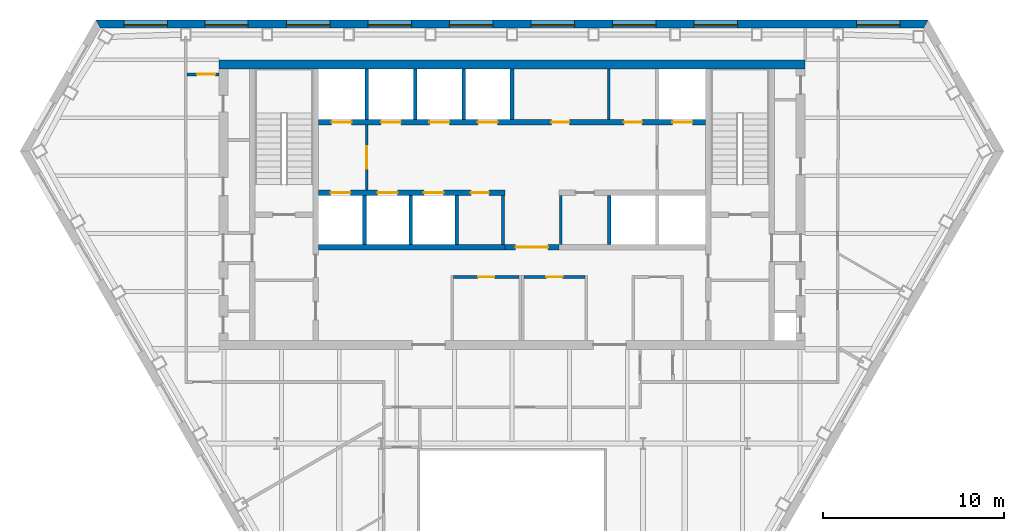
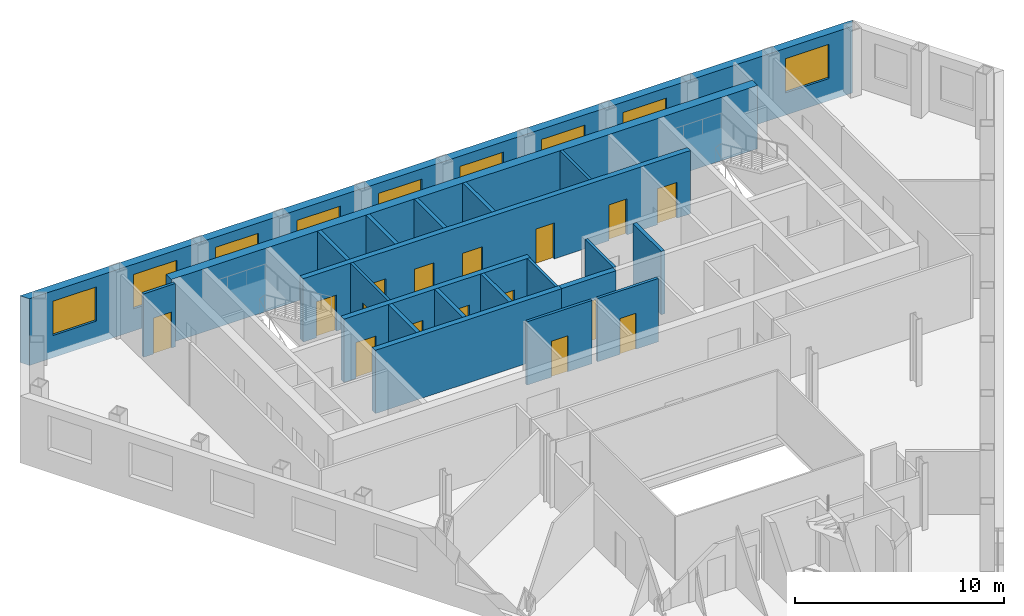
# One storey, part 6 of 10: 21 walls, 16 doors, 9 windows, 25 openings.
"""IFC4 building model written with IfcOpenShell, lengths in metres."""

from ifc_helpers import new_model, si_unit, direction, frame, frame_2d, origin, place, context, subcontext, project, spatial, polyline, rectangle, outline, extrude, material, layer, layer_set, type_object, element, fill, save


model = new_model("IFC4")

# Units and contexts
model_context = context("Model", 3, precision=1e-05, world=origin(), true_north=direction((0.0, 1.0)))
body_context = subcontext(model_context, "Body", "Model", "MODEL_VIEW")
ifc_project = project(units=[si_unit("LENGTHUNIT", "METRE"), si_unit("AREAUNIT", "SQUARE_METRE"), si_unit("VOLUMEUNIT", "CUBIC_METRE"), si_unit("PLANEANGLEUNIT", "RADIAN"), si_unit("MASSUNIT", "GRAM", prefix="KILO")], contexts=[model_context])

# Site, building, storey
site_placement = place(None, origin())
site = spatial("IfcSite", under=ifc_project, at=site_placement, CompositionType="ELEMENT")
building_placement = place(site_placement, origin())
building = spatial("IfcBuilding", under=site, at=building_placement, Name="Njiva Tower", CompositionType="ELEMENT")
storey_placement = place(building_placement, frame((0.0, 0.0, 167.1)))
storey = spatial("IfcBuildingStorey", under=building, at=storey_placement, Name="L36", CompositionType="ELEMENT", Elevation=167.1)

# Walls
ifc_material_1 = material(Name="Blockwork", Category="masonry")
ifc_layer_1 = layer(ifc_material_1, 0.15)
ifc_layer_set_1 = layer_set([ifc_layer_1], Name="Blockwork")
wall_type_1 = type_object("IfcWallType", Name="WT1 Compartment partition 150", PredefinedType="PARTITIONING", material=ifc_layer_set_1)
wall_1_placement = place(storey_placement, frame((5.35, 14.7, 0.0), z_axis=(0.0, 0.0, 1.0), x_axis=(0.0, 1.0, 0.0)))
element("IfcWall", 1, at=wall_1_placement, inside=storey, type_object=wall_type_1, Name="Partition CN6", PredefinedType="PARTITIONING", context=body_context, shape_type="SweptSolid", body=[
    extrude(rectangle(XDim=2.8, YDim=0.15, at=frame_2d((1.4, 0.0))), origin(), (0.0, 0.0, 1.0), 3.7),
])
for number, where, z_axis, x_axis, name in (
    (2, (-0.5, 7.8, 0.0), (0.0, 0.0, 1.0), (0.0, 1.0, 0.0), "Partition CS4"),
    (3, (2.7, 7.8, 0.0), (0.0, 0.0, 1.0), (0.0, 1.0, 0.0), "Partition CS5"),
):
    element("IfcWall", number, at=place(storey_placement, frame(where, z_axis=z_axis, x_axis=x_axis)), inside=storey, type_object=wall_type_1, Name=name, PredefinedType="PARTITIONING", context=body_context, shape_type="SweptSolid", body=[
        extrude(rectangle(XDim=2.7, YDim=0.15, at=frame_2d((1.35, 0.0))), origin(), (0.0, 0.0, 1.0), 3.7),
    ])

# Wall, opening, door
wall_2_placement = place(storey_placement, frame((-3.225, 6.0, 0.0), z_axis=(0.0, 0.0, 1.0), x_axis=(1.0, 0.0, 0.0)))
wall_2 = element("IfcWall", 4, at=wall_2_placement, inside=storey, type_object=wall_type_1, Name="First aid room wall north", PredefinedType="PARTITIONING", context=body_context, shape_type="SweptSolid", body=[
    extrude(rectangle(XDim=3.6, YDim=0.15, at=frame_2d((1.8, 0.0))), origin(), (0.0, 0.0, 1.0), 3.7),
])
opening_1_placement = place(wall_2_placement, frame((1.35, 0.0, 0.0)))
opening_1 = element("IfcOpeningElement", 5, at=opening_1_placement, cuts=wall_2, Name="Opening S12-D933", PredefinedType="OPENING", context=body_context, shape_type="SweptSolid", body=[
    extrude(rectangle(XDim=0.9, YDim=2.1, at=frame_2d((0.45, 1.05))), frame((0.0, 0.085, 0.0), z_axis=(0.0, -1.0, 0.0), x_axis=(1.0, 0.0, 0.0)), (0.0, 0.0, 1.0), 0.17),
])
ifc_material_2 = material(Name="Steel fire door, painted", Category="steel")
door_type_1 = type_object("IfcDoorType", Name="D6 Fire-rated door 900x2100", OperationType="SINGLE_SWING_LEFT", PredefinedType="DOOR", material=ifc_material_2)
door_1_placement = place(opening_1_placement, origin())
door_1 = element("IfcDoor", 6, at=door_1_placement, inside=storey, type_object=door_type_1, Name="First aid room door", OperationType="SINGLE_SWING_LEFT", OverallHeight=2.1, OverallWidth=0.9, PredefinedType="DOOR", context=body_context, shape_type="SweptSolid", body=[
    extrude(rectangle(XDim=0.9, YDim=2.1, at=frame_2d((0.45, 1.05))), frame((0.0, 0.025, 0.0), z_axis=(0.0, -1.0, 0.0), x_axis=(1.0, 0.0, 0.0)), (0.0, 0.0, 1.0), 0.05),
])
fill(opening_1, door_1)

wall_3_placement = place(storey_placement, frame((0.675, 6.0, 0.0), z_axis=(0.0, 0.0, 1.0), x_axis=(1.0, 0.0, 0.0)))
wall_3 = element("IfcWall", 7, at=wall_3_placement, inside=storey, type_object=wall_type_1, Name="Parcel room wall north", PredefinedType="PARTITIONING", context=body_context, shape_type="SweptSolid", body=[
    extrude(rectangle(XDim=3.35, YDim=0.15, at=frame_2d((1.675, 0.0))), origin(), (0.0, 0.0, 1.0), 3.7),
])
opening_2_placement = place(wall_3_placement, frame((1.225, 0.0, 0.0)))
opening_2 = element("IfcOpeningElement", 8, at=opening_2_placement, cuts=wall_3, Name="Opening S12-D934", PredefinedType="OPENING", context=body_context, shape_type="SweptSolid", body=[
    extrude(rectangle(XDim=0.9, YDim=2.1, at=frame_2d((0.45, 1.05))), frame((0.0, 0.085, 0.0), z_axis=(0.0, -1.0, 0.0), x_axis=(1.0, 0.0, 0.0)), (0.0, 0.0, 1.0), 0.17),
])
door_2_placement = place(opening_2_placement, origin())
door_2 = element("IfcDoor", 9, at=door_2_placement, inside=storey, type_object=door_type_1, Name="Parcel room door", OperationType="SINGLE_SWING_LEFT", OverallHeight=2.1, OverallWidth=0.9, PredefinedType="DOOR", context=body_context, shape_type="SweptSolid", body=[
    extrude(rectangle(XDim=0.9, YDim=2.1, at=frame_2d((0.45, 1.05))), frame((0.0, 0.025, 0.0), z_axis=(0.0, -1.0, 0.0), x_axis=(1.0, 0.0, 0.0)), (0.0, 0.0, 1.0), 0.05),
])
fill(opening_2, door_2)

# Wall
ifc_material_3 = material(Name="Concrete C60/75", Category="concrete")
ifc_layer_2 = layer(ifc_material_3, 0.5)
ifc_layer_set_2 = layer_set([ifc_layer_2], Name="Concrete C60/75")
wall_type_2 = type_object("IfcWallType", Name="WT13 Core wall 500", PredefinedType="SHEAR", material=ifc_layer_set_2)
wall_4_placement = place(storey_placement, frame((-16.2, 17.75, 0.0), z_axis=(0.0, 0.0, 1.0), x_axis=(1.0, 0.0, 0.0)))
element("IfcWall", 10, at=wall_4_placement, inside=storey, type_object=wall_type_2, Name="Core wall north", PredefinedType="SHEAR", context=body_context, shape_type="SweptSolid", body=[
    extrude(rectangle(XDim=32.4, YDim=0.5, at=frame_2d((16.2, 0.0))), origin(), (0.0, 0.0, 1.0), 3.7),
])

# Wall, opening, door
ifc_layer_3 = layer(ifc_material_1, 0.15)
ifc_layer_set_3 = layer_set([ifc_layer_3], Name="Blockwork")
wall_type_3 = type_object("IfcWallType", Name="WT2 Lobby partition 150", PredefinedType="PARTITIONING", material=ifc_layer_set_3)
wall_5_placement = place(storey_placement, frame((-8.025, 10.8, 0.0), z_axis=(0.0, 0.0, 1.0), x_axis=(0.0, 1.0, 0.0)))
wall_5 = element("IfcWall", 11, at=wall_5_placement, inside=storey, type_object=wall_type_3, Name="Firefighting lobby wall A", PredefinedType="PARTITIONING", context=body_context, shape_type="SweptSolid", body=[
    extrude(rectangle(XDim=3.6, YDim=0.15, at=frame_2d((1.8, 0.0))), origin(), (0.0, 0.0, 1.0), 3.7),
])
opening_3_placement = place(wall_5_placement, frame((1.175, 0.0, 0.0)))
opening_3 = element("IfcOpeningElement", 12, at=opening_3_placement, cuts=wall_5, Name="Opening S12-D913", PredefinedType="OPENING", context=body_context, shape_type="SweptSolid", body=[
    extrude(rectangle(XDim=1.25, YDim=2.1, at=frame_2d((0.625, 1.05))), frame((0.0, 0.085, 0.0), z_axis=(0.0, -1.0, 0.0), x_axis=(1.0, 0.0, 0.0)), (0.0, 0.0, 1.0), 0.17),
])
ifc_material_4 = material(Name="Glazed steel fire door", Category="steel")
door_type_2 = type_object("IfcDoorType", Name="D8 Vestibule corridor door 1250x2100 glazed", OperationType="SINGLE_SWING_LEFT", PredefinedType="DOOR", material=ifc_material_4)
door_3_placement = place(opening_3_placement, origin())
door_3 = element("IfcDoor", 13, at=door_3_placement, inside=storey, type_object=door_type_2, Name="Stair vestibule corridor door", OperationType="SINGLE_SWING_RIGHT", OverallHeight=2.1, OverallWidth=1.25, PredefinedType="DOOR", context=body_context, shape_type="SweptSolid", body=[
    extrude(rectangle(XDim=1.25, YDim=2.1, at=frame_2d((0.625, 1.05))), frame((0.0, 0.025, 0.0), z_axis=(0.0, -1.0, 0.0), x_axis=(1.0, 0.0, 0.0)), (0.0, 0.0, 1.0), 0.05),
])
fill(opening_3, door_3)

ifc_material_5 = material(Name="Gypsum board on steel studs", Category="gypsum")
ifc_layer_4 = layer(ifc_material_5, 0.15)
ifc_layer_set_4 = layer_set([ifc_layer_4], Name="Gypsum board on steel studs")
wall_type_4 = type_object("IfcWallType", Name="WT21 Compartment wall 150", PredefinedType="PARTITIONING", material=ifc_layer_set_4)
wall_6_placement = place(storey_placement, frame((-17.956, 17.193, 0.0), z_axis=(0.0, 0.0, 1.0), x_axis=(1.0, 0.0, 0.0)))
wall_6 = element("IfcWall", 14, at=wall_6_placement, inside=storey, type_object=wall_type_4, Name="Partition S12-P003", PredefinedType="PARTITIONING", context=body_context, shape_type="SweptSolid", body=[
    extrude(rectangle(XDim=1.756, YDim=0.15, at=frame_2d((0.878, 0.0))), origin(), (0.0, 0.0, 1.0), 3.7),
])
opening_4_placement = place(wall_6_placement, frame((0.556, 0.0, 0.0)))
opening_4 = element("IfcOpeningElement", 15, at=opening_4_placement, cuts=wall_6, Name="Opening S12-D001", PredefinedType="OPENING", context=body_context, shape_type="SweptSolid", body=[
    extrude(rectangle(XDim=1.0, YDim=2.1, at=frame_2d((0.5, 1.05))), frame((0.0, 0.085, 0.0), z_axis=(0.0, -1.0, 0.0), x_axis=(1.0, 0.0, 0.0)), (0.0, 0.0, 1.0), 0.17),
])
ifc_material_6 = material(Name="Steel fire door set", Category="steel")
door_type_3 = type_object("IfcDoorType", Name="D37 Fire door 1000x2100", OperationType="SINGLE_SWING_LEFT", PredefinedType="DOOR", material=ifc_material_6)
door_4_placement = place(opening_4_placement, origin())
door_4 = element("IfcDoor", 16, at=door_4_placement, inside=storey, type_object=door_type_3, Name="Door S12-D001", OperationType="SINGLE_SWING_LEFT", OverallHeight=2.1, OverallWidth=1.0, PredefinedType="DOOR", context=body_context, shape_type="SweptSolid", body=[
    extrude(rectangle(XDim=1.0, YDim=2.1, at=frame_2d((0.5, 1.05))), frame((0.0, 0.025, 0.0), z_axis=(0.0, -1.0, 0.0), x_axis=(1.0, 0.0, 0.0)), (0.0, 0.0, 1.0), 0.05),
])
fill(opening_4, door_4)

ifc_layer_5 = layer(ifc_material_1, 0.3)
ifc_layer_set_5 = layer_set([ifc_layer_5], Name="Blockwork")
wall_type_5 = type_object("IfcWallType", Name="WT5 Lobby partition 300", PredefinedType="PARTITIONING", material=ifc_layer_set_5)
wall_7_placement = place(storey_placement, frame((-0.4, 7.65, 0.0), z_axis=(0.0, 0.0, 1.0), x_axis=(1.0, 0.0, 0.0)))
wall_7 = element("IfcWall", 17, at=wall_7_placement, inside=storey, type_object=wall_type_5, Name="Lift lobby screen wall", PredefinedType="PARTITIONING", context=body_context, shape_type="SweptSolid", body=[
    extrude(rectangle(XDim=3.0, YDim=0.3, at=frame_2d((1.5, 0.0))), origin(), (0.0, 0.0, 1.0), 3.7),
])
opening_5_placement = place(wall_7_placement, frame((0.6, 0.0, 0.0)))
opening_5 = element("IfcOpeningElement", 18, at=opening_5_placement, cuts=wall_7, Name="Opening S12-D936", PredefinedType="OPENING", context=body_context, shape_type="SweptSolid", body=[
    extrude(rectangle(XDim=1.8, YDim=2.4, at=frame_2d((0.9, 1.2))), frame((0.0, 0.16, 0.0), z_axis=(0.0, -1.0, 0.0), x_axis=(1.0, 0.0, 0.0)), (0.0, 0.0, 1.0), 0.32),
])
ifc_material_7 = material(Name="Steel and glass door", Category="steel")
door_type_4 = type_object("IfcDoorType", Name="D3 Core entrance door 1800x2400", OperationType="DOUBLE_DOOR_SINGLE_SWING", PredefinedType="DOOR", material=ifc_material_7)
door_5_placement = place(opening_5_placement, origin())
door_5 = element("IfcDoor", 19, at=door_5_placement, inside=storey, type_object=door_type_4, Name="Core entrance door", OperationType="DOUBLE_DOOR_SINGLE_SWING", OverallHeight=2.4, OverallWidth=1.8, PredefinedType="DOOR", context=body_context, shape_type="SweptSolid", body=[
    extrude(rectangle(XDim=1.8, YDim=2.4, at=frame_2d((0.9, 1.2))), frame((0.0, 0.025, 0.0), z_axis=(0.0, -1.0, 0.0), x_axis=(1.0, 0.0, 0.0)), (0.0, 0.0, 1.0), 0.05),
])
fill(opening_5, door_5)

# Walls
ifc_material_8 = material(Name="Concrete C40/50", Category="concrete")
ifc_layer_6 = layer(ifc_material_8, 0.2)
ifc_layer_set_6 = layer_set([ifc_layer_6], Name="Concrete C40/50")
wall_type_6 = type_object("IfcWallType", Name="WT6 Lift shaft wall 200", PredefinedType="SHEAR", material=ifc_layer_set_6)
for number, where, z_axis, x_axis, name in (
    (20, (-8.025, 14.7, 0.0), (0.0, 0.0, 1.0), (0.0, 1.0, 0.0), "Shaft wall CN1"),
    (21, (-5.35, 14.7, 0.0), (0.0, 0.0, 1.0), (0.0, 1.0, 0.0), "Shaft wall CN2"),
    (22, (-2.675, 14.7, 0.0), (0.0, 0.0, 1.0), (0.0, 1.0, 0.0), "Shaft wall CN3"),
    (23, (0.0, 14.7, 0.0), (0.0, 0.0, 1.0), (0.0, 1.0, 0.0), "Shaft wall CN4"),
):
    element("IfcWall", number, at=place(storey_placement, frame(where, z_axis=z_axis, x_axis=x_axis)), inside=storey, type_object=wall_type_6, Name=name, PredefinedType="SHEAR", context=body_context, shape_type="SweptSolid", body=[
        extrude(rectangle(XDim=2.8, YDim=0.2, at=frame_2d((1.4, 0.0))), origin(), (0.0, 0.0, 1.0), 3.7),
    ])
for number, where, z_axis, x_axis, name in (
    (24, (-8.15, 7.8, 0.0), (0.0, 0.0, 1.0), (0.0, 1.0, 0.0), "Shaft wall CS1"),
    (25, (-5.6, 7.8, 0.0), (0.0, 0.0, 1.0), (0.0, 1.0, 0.0), "Shaft wall CS2"),
    (26, (-3.05, 7.8, 0.0), (0.0, 0.0, 1.0), (0.0, 1.0, 0.0), "Shaft wall CS3"),
    (27, (5.3667, 7.8, 0.0), (0.0, 0.0, 1.0), (0.0, 1.0, 0.0), "Shaft wall CS6"),
):
    element("IfcWall", number, at=place(storey_placement, frame(where, z_axis=z_axis, x_axis=x_axis)), inside=storey, type_object=wall_type_6, Name=name, PredefinedType="SHEAR", context=body_context, shape_type="SweptSolid", body=[
        extrude(rectangle(XDim=2.7, YDim=0.2, at=frame_2d((1.35, 0.0))), origin(), (0.0, 0.0, 1.0), 3.7),
    ])

# Wall, openings, doors
ifc_layer_7 = layer(ifc_material_8, 0.3)
ifc_layer_set_7 = layer_set([ifc_layer_7], Name="Concrete C40/50")
wall_type_7 = type_object("IfcWallType", Name="WT7 Lift shaft wall 300", PredefinedType="SHEAR", material=ifc_layer_set_7)
wall_8_placement = place(storey_placement, frame((-10.7, 14.55, 0.0), z_axis=(0.0, 0.0, 1.0), x_axis=(1.0, 0.0, 0.0)))
wall_8 = element("IfcWall", 28, at=wall_8_placement, inside=storey, type_object=wall_type_7, Name="Shaft wall north row lobby side", PredefinedType="SHEAR", context=body_context, shape_type="SweptSolid", body=[
    extrude(rectangle(XDim=21.4, YDim=0.3, at=frame_2d((10.7, 0.0))), origin(), (0.0, 0.0, 1.0), 3.7),
])
opening_6_placement = place(wall_8_placement, frame((0.7375, 0.0, 0.0)))
opening_6 = element("IfcOpeningElement", 29, at=opening_6_placement, cuts=wall_8, Name="Opening S12-D901", PredefinedType="OPENING", context=body_context, shape_type="SweptSolid", body=[
    extrude(rectangle(XDim=1.1, YDim=2.1, at=frame_2d((0.55, 1.05))), frame((0.0, 0.16, 0.0), z_axis=(0.0, -1.0, 0.0), x_axis=(1.0, 0.0, 0.0)), (0.0, 0.0, 1.0), 0.32),
])
opening_7_placement = place(wall_8_placement, frame((3.4625, 0.0, 0.0)))
opening_7 = element("IfcOpeningElement", 30, at=opening_7_placement, cuts=wall_8, Name="Opening S12-D902", PredefinedType="OPENING", context=body_context, shape_type="SweptSolid", body=[
    extrude(rectangle(XDim=1.1, YDim=2.1, at=frame_2d((0.55, 1.05))), frame((0.0, 0.16, 0.0), z_axis=(0.0, -1.0, 0.0), x_axis=(1.0, 0.0, 0.0)), (0.0, 0.0, 1.0), 0.32),
])
opening_8_placement = place(wall_8_placement, frame((6.1375, 0.0, 0.0)))
opening_8 = element("IfcOpeningElement", 31, at=opening_8_placement, cuts=wall_8, Name="Opening S12-D903", PredefinedType="OPENING", context=body_context, shape_type="SweptSolid", body=[
    extrude(rectangle(XDim=1.1, YDim=2.1, at=frame_2d((0.55, 1.05))), frame((0.0, 0.16, 0.0), z_axis=(0.0, -1.0, 0.0), x_axis=(1.0, 0.0, 0.0)), (0.0, 0.0, 1.0), 0.32),
])
opening_9_placement = place(wall_8_placement, frame((8.8125, 0.0, 0.0)))
opening_9 = element("IfcOpeningElement", 32, at=opening_9_placement, cuts=wall_8, Name="Opening S12-D904", PredefinedType="OPENING", context=body_context, shape_type="SweptSolid", body=[
    extrude(rectangle(XDim=1.1, YDim=2.1, at=frame_2d((0.55, 1.05))), frame((0.0, 0.16, 0.0), z_axis=(0.0, -1.0, 0.0), x_axis=(1.0, 0.0, 0.0)), (0.0, 0.0, 1.0), 0.32),
])
opening_10_placement = place(wall_8_placement, frame((19.5625, 0.0, 0.0)))
opening_10 = element("IfcOpeningElement", 33, at=opening_10_placement, cuts=wall_8, Name="Opening S12-D905", PredefinedType="OPENING", context=body_context, shape_type="SweptSolid", body=[
    extrude(rectangle(XDim=1.1, YDim=2.1, at=frame_2d((0.55, 1.05))), frame((0.0, 0.16, 0.0), z_axis=(0.0, -1.0, 0.0), x_axis=(1.0, 0.0, 0.0)), (0.0, 0.0, 1.0), 0.32),
])
opening_11_placement = place(wall_8_placement, frame((12.875, 0.0, 0.0)))
opening_11 = element("IfcOpeningElement", 34, at=opening_11_placement, cuts=wall_8, Name="Opening S12-D909", PredefinedType="OPENING", context=body_context, shape_type="SweptSolid", body=[
    extrude(rectangle(XDim=1.0, YDim=2.1, at=frame_2d((0.5, 1.05))), frame((0.0, 0.16, 0.0), z_axis=(0.0, -1.0, 0.0), x_axis=(1.0, 0.0, 0.0)), (0.0, 0.0, 1.0), 0.32),
])
opening_12_placement = place(wall_8_placement, frame((16.8875, 0.0, 0.0)))
opening_12 = element("IfcOpeningElement", 35, at=opening_12_placement, cuts=wall_8, Name="Opening S12-D910", PredefinedType="OPENING", context=body_context, shape_type="SweptSolid", body=[
    extrude(rectangle(XDim=1.0, YDim=2.1, at=frame_2d((0.5, 1.05))), frame((0.0, 0.16, 0.0), z_axis=(0.0, -1.0, 0.0), x_axis=(1.0, 0.0, 0.0)), (0.0, 0.0, 1.0), 0.32),
])
ifc_material_9 = material(Name="Steel door, painted", Category="steel")
door_type_5 = type_object("IfcDoorType", Name="D5 Steel door 1000x2100", OperationType="SINGLE_SWING_LEFT", PredefinedType="DOOR", material=ifc_material_9)
door_6_placement = place(opening_11_placement, origin())
door_6 = element("IfcDoor", 36, at=door_6_placement, inside=storey, type_object=door_type_5, Name="Breakout room door", OperationType="SINGLE_SWING_LEFT", OverallHeight=2.1, OverallWidth=1.0, PredefinedType="DOOR", context=body_context, shape_type="SweptSolid", body=[
    extrude(rectangle(XDim=1.0, YDim=2.1, at=frame_2d((0.5, 1.05))), frame((0.0, 0.025, 0.0), z_axis=(0.0, -1.0, 0.0), x_axis=(1.0, 0.0, 0.0)), (0.0, 0.0, 1.0), 0.05),
])
fill(opening_11, door_6)
door_7_placement = place(opening_12_placement, origin())
door_7 = element("IfcDoor", 37, at=door_7_placement, inside=storey, type_object=door_type_5, Name="Quiet room door", OperationType="SINGLE_SWING_LEFT", OverallHeight=2.1, OverallWidth=1.0, PredefinedType="DOOR", context=body_context, shape_type="SweptSolid", body=[
    extrude(rectangle(XDim=1.0, YDim=2.1, at=frame_2d((0.5, 1.05))), frame((0.0, 0.025, 0.0), z_axis=(0.0, -1.0, 0.0), x_axis=(1.0, 0.0, 0.0)), (0.0, 0.0, 1.0), 0.05),
])
fill(opening_12, door_7)
ifc_material_10 = material(Name="Stainless steel sliding door", Category="steel")
door_type_6 = type_object("IfcDoorType", Name="LD Lift landing door 1100x2100", OperationType="SLIDING_TO_LEFT", PredefinedType="DOOR", material=ifc_material_10)
door_8_placement = place(opening_6_placement, origin())
door_8 = element("IfcDoor", 38, at=door_8_placement, inside=storey, type_object=door_type_6, Name="Lift landing door FF1", OperationType="SLIDING_TO_LEFT", OverallHeight=2.1, OverallWidth=1.1, PredefinedType="DOOR", context=body_context, shape_type="SweptSolid", body=[
    extrude(rectangle(XDim=1.1, YDim=2.1, at=frame_2d((0.55, 1.05))), frame((0.0, 0.025, 0.0), z_axis=(0.0, -1.0, 0.0), x_axis=(1.0, 0.0, 0.0)), (0.0, 0.0, 1.0), 0.05),
])
fill(opening_6, door_8)
door_9_placement = place(opening_7_placement, origin())
door_9 = element("IfcDoor", 39, at=door_9_placement, inside=storey, type_object=door_type_6, Name="Lift landing door MB4", OperationType="SLIDING_TO_LEFT", OverallHeight=2.1, OverallWidth=1.1, PredefinedType="DOOR", context=body_context, shape_type="SweptSolid", body=[
    extrude(rectangle(XDim=1.1, YDim=2.1, at=frame_2d((0.55, 1.05))), frame((0.0, 0.025, 0.0), z_axis=(0.0, -1.0, 0.0), x_axis=(1.0, 0.0, 0.0)), (0.0, 0.0, 1.0), 0.05),
])
fill(opening_7, door_9)
door_10_placement = place(opening_8_placement, origin())
door_10 = element("IfcDoor", 40, at=door_10_placement, inside=storey, type_object=door_type_6, Name="Lift landing door MB5", OperationType="SLIDING_TO_LEFT", OverallHeight=2.1, OverallWidth=1.1, PredefinedType="DOOR", context=body_context, shape_type="SweptSolid", body=[
    extrude(rectangle(XDim=1.1, YDim=2.1, at=frame_2d((0.55, 1.05))), frame((0.0, 0.025, 0.0), z_axis=(0.0, -1.0, 0.0), x_axis=(1.0, 0.0, 0.0)), (0.0, 0.0, 1.0), 0.05),
])
fill(opening_8, door_10)
door_11_placement = place(opening_9_placement, origin())
door_11 = element("IfcDoor", 41, at=door_11_placement, inside=storey, type_object=door_type_6, Name="Lift landing door MB6", OperationType="SLIDING_TO_LEFT", OverallHeight=2.1, OverallWidth=1.1, PredefinedType="DOOR", context=body_context, shape_type="SweptSolid", body=[
    extrude(rectangle(XDim=1.1, YDim=2.1, at=frame_2d((0.55, 1.05))), frame((0.0, 0.025, 0.0), z_axis=(0.0, -1.0, 0.0), x_axis=(1.0, 0.0, 0.0)), (0.0, 0.0, 1.0), 0.05),
])
fill(opening_9, door_11)
door_12_placement = place(opening_10_placement, origin())
door_12 = element("IfcDoor", 42, at=door_12_placement, inside=storey, type_object=door_type_6, Name="Lift landing door FF2", OperationType="SLIDING_TO_LEFT", OverallHeight=2.1, OverallWidth=1.1, PredefinedType="DOOR", context=body_context, shape_type="SweptSolid", body=[
    extrude(rectangle(XDim=1.1, YDim=2.1, at=frame_2d((0.55, 1.05))), frame((0.0, 0.025, 0.0), z_axis=(0.0, -1.0, 0.0), x_axis=(1.0, 0.0, 0.0)), (0.0, 0.0, 1.0), 0.05),
])
fill(opening_10, door_12)

wall_9_placement = place(storey_placement, frame((-10.7, 10.65, 0.0), z_axis=(0.0, 0.0, 1.0), x_axis=(1.0, 0.0, 0.0)))
wall_9 = element("IfcWall", 43, at=wall_9_placement, inside=storey, type_object=wall_type_7, Name="Shaft wall south row lobby side W", PredefinedType="SHEAR", context=body_context, shape_type="SweptSolid", body=[
    extrude(rectangle(XDim=10.3, YDim=0.3, at=frame_2d((5.15, 0.0))), origin(), (0.0, 0.0, 1.0), 3.7),
])
opening_13_placement = place(wall_9_placement, frame((0.675, 0.0, 0.0)))
opening_13 = element("IfcOpeningElement", 44, at=opening_13_placement, cuts=wall_9, Name="Opening S12-D906", PredefinedType="OPENING", context=body_context, shape_type="SweptSolid", body=[
    extrude(rectangle(XDim=1.1, YDim=2.1, at=frame_2d((0.55, 1.05))), frame((0.0, 0.16, 0.0), z_axis=(0.0, -1.0, 0.0), x_axis=(1.0, 0.0, 0.0)), (0.0, 0.0, 1.0), 0.32),
])
opening_14_placement = place(wall_9_placement, frame((3.275, 0.0, 0.0)))
opening_14 = element("IfcOpeningElement", 45, at=opening_14_placement, cuts=wall_9, Name="Opening S12-D907", PredefinedType="OPENING", context=body_context, shape_type="SweptSolid", body=[
    extrude(rectangle(XDim=1.1, YDim=2.1, at=frame_2d((0.55, 1.05))), frame((0.0, 0.16, 0.0), z_axis=(0.0, -1.0, 0.0), x_axis=(1.0, 0.0, 0.0)), (0.0, 0.0, 1.0), 0.32),
])
opening_15_placement = place(wall_9_placement, frame((5.825, 0.0, 0.0)))
opening_15 = element("IfcOpeningElement", 46, at=opening_15_placement, cuts=wall_9, Name="Opening S12-D908", PredefinedType="OPENING", context=body_context, shape_type="SweptSolid", body=[
    extrude(rectangle(XDim=1.1, YDim=2.1, at=frame_2d((0.55, 1.05))), frame((0.0, 0.16, 0.0), z_axis=(0.0, -1.0, 0.0), x_axis=(1.0, 0.0, 0.0)), (0.0, 0.0, 1.0), 0.32),
])
opening_16_placement = place(wall_9_placement, frame((8.425, 0.0, 0.0)))
opening_16 = element("IfcOpeningElement", 47, at=opening_16_placement, cuts=wall_9, Name="Opening S12-D911", PredefinedType="OPENING", context=body_context, shape_type="SweptSolid", body=[
    extrude(rectangle(XDim=1.0, YDim=2.1, at=frame_2d((0.5, 1.05))), frame((0.0, 0.16, 0.0), z_axis=(0.0, -1.0, 0.0), x_axis=(1.0, 0.0, 0.0)), (0.0, 0.0, 1.0), 0.32),
])
door_13_placement = place(opening_16_placement, origin())
door_13 = element("IfcDoor", 48, at=door_13_placement, inside=storey, type_object=door_type_5, Name="Reading room door", OperationType="SINGLE_SWING_RIGHT", OverallHeight=2.1, OverallWidth=1.0, PredefinedType="DOOR", context=body_context, shape_type="SweptSolid", body=[
    extrude(rectangle(XDim=1.0, YDim=2.1, at=frame_2d((0.5, 1.05))), frame((0.0, 0.025, 0.0), z_axis=(0.0, -1.0, 0.0), x_axis=(1.0, 0.0, 0.0)), (0.0, 0.0, 1.0), 0.05),
])
fill(opening_16, door_13)
door_14_placement = place(opening_13_placement, origin())
door_14 = element("IfcDoor", 49, at=door_14_placement, inside=storey, type_object=door_type_6, Name="Lift landing door MB1", OperationType="SLIDING_TO_LEFT", OverallHeight=2.1, OverallWidth=1.1, PredefinedType="DOOR", context=body_context, shape_type="SweptSolid", body=[
    extrude(rectangle(XDim=1.1, YDim=2.1, at=frame_2d((0.55, 1.05))), frame((0.0, 0.025, 0.0), z_axis=(0.0, -1.0, 0.0), x_axis=(1.0, 0.0, 0.0)), (0.0, 0.0, 1.0), 0.05),
])
fill(opening_13, door_14)
door_15_placement = place(opening_14_placement, origin())
door_15 = element("IfcDoor", 50, at=door_15_placement, inside=storey, type_object=door_type_6, Name="Lift landing door MB2", OperationType="SLIDING_TO_LEFT", OverallHeight=2.1, OverallWidth=1.1, PredefinedType="DOOR", context=body_context, shape_type="SweptSolid", body=[
    extrude(rectangle(XDim=1.1, YDim=2.1, at=frame_2d((0.55, 1.05))), frame((0.0, 0.025, 0.0), z_axis=(0.0, -1.0, 0.0), x_axis=(1.0, 0.0, 0.0)), (0.0, 0.0, 1.0), 0.05),
])
fill(opening_14, door_15)
door_16_placement = place(opening_15_placement, origin())
door_16 = element("IfcDoor", 51, at=door_16_placement, inside=storey, type_object=door_type_6, Name="Lift landing door MB3", OperationType="SLIDING_TO_LEFT", OverallHeight=2.1, OverallWidth=1.1, PredefinedType="DOOR", context=body_context, shape_type="SweptSolid", body=[
    extrude(rectangle(XDim=1.1, YDim=2.1, at=frame_2d((0.55, 1.05))), frame((0.0, 0.025, 0.0), z_axis=(0.0, -1.0, 0.0), x_axis=(1.0, 0.0, 0.0)), (0.0, 0.0, 1.0), 0.05),
])
fill(opening_15, door_16)

# Wall
wall_10_placement = place(storey_placement, frame((-10.7, 7.65, 0.0), z_axis=(0.0, 0.0, 1.0), x_axis=(1.0, 0.0, 0.0)))
element("IfcWall", 52, at=wall_10_placement, inside=storey, type_object=wall_type_7, Name="Shaft wall south row back W", PredefinedType="SHEAR", context=body_context, shape_type="SweptSolid", body=[
    extrude(rectangle(XDim=10.3, YDim=0.3, at=frame_2d((5.15, 0.0))), origin(), (0.0, 0.0, 1.0), 3.7),
])

# Wall, openings, windows
ifc_material_11 = material(Name="Brick masonry", Category="masonry")
ifc_layer_8 = layer(ifc_material_11, 0.45)
ifc_layer_set_8 = layer_set([ifc_layer_8], Name="Brick masonry")
wall_type_8 = type_object("IfcWallType", Name="WT90 Brick pier and spandrel wall 450", PredefinedType="SOLIDWALL", material=ifc_layer_set_8)
wall_11_placement = place(storey_placement, frame((22.8701, 19.975, -0.4), z_axis=(0.0, 0.0, 1.0), x_axis=(-1.0, 0.0, 0.0)))
wall_11 = element("IfcWall", 53, at=wall_11_placement, inside=storey, type_object=wall_type_8, Name="Facade wall N", PredefinedType="SOLIDWALL", context=body_context, shape_type="SweptSolid", body=[
    extrude(outline(polyline([(-0.1299, -0.225), (45.8701, -0.225), (45.6103, 0.225), (0.1299, 0.225), (-0.1299, -0.225)])), origin(), (0.0, 0.0, 1.0), 3.9),
])
opening_17_placement = place(wall_11_placement, frame((1.4242, 0.0, 1.3)))
opening_17 = element("IfcOpeningElement", 54, at=opening_17_placement, cuts=wall_11, Name="Opening S12-W01", PredefinedType="OPENING", context=body_context, shape_type="SweptSolid", body=[
    extrude(rectangle(XDim=2.4, YDim=2.0, at=frame_2d((1.2, 1.0))), frame((0.0, 0.235, 0.0), z_axis=(0.0, -1.0, 0.0), x_axis=(1.0, 0.0, 0.0)), (0.0, 0.0, 1.0), 0.47),
])
opening_18_placement = place(wall_11_placement, frame((10.401, 0.0, 1.3)))
opening_18 = element("IfcOpeningElement", 55, at=opening_18_placement, cuts=wall_11, Name="Opening S12-W02", PredefinedType="OPENING", context=body_context, shape_type="SweptSolid", body=[
    extrude(rectangle(XDim=2.4, YDim=2.0, at=frame_2d((1.2, 1.0))), frame((0.0, 0.235, 0.0), z_axis=(0.0, -1.0, 0.0), x_axis=(1.0, 0.0, 0.0)), (0.0, 0.0, 1.0), 0.47),
])
opening_19_placement = place(wall_11_placement, frame((14.9087, 0.0, 1.3)))
opening_19 = element("IfcOpeningElement", 56, at=opening_19_placement, cuts=wall_11, Name="Opening S12-W03", PredefinedType="OPENING", context=body_context, shape_type="SweptSolid", body=[
    extrude(rectangle(XDim=2.4, YDim=2.0, at=frame_2d((1.2, 1.0))), frame((0.0, 0.235, 0.0), z_axis=(0.0, -1.0, 0.0), x_axis=(1.0, 0.0, 0.0)), (0.0, 0.0, 1.0), 0.47),
])
opening_20_placement = place(wall_11_placement, frame((19.4163, 0.0, 1.3)))
opening_20 = element("IfcOpeningElement", 57, at=opening_20_placement, cuts=wall_11, Name="Opening S12-W04", PredefinedType="OPENING", context=body_context, shape_type="SweptSolid", body=[
    extrude(rectangle(XDim=2.4, YDim=2.0, at=frame_2d((1.2, 1.0))), frame((0.0, 0.235, 0.0), z_axis=(0.0, -1.0, 0.0), x_axis=(1.0, 0.0, 0.0)), (0.0, 0.0, 1.0), 0.47),
])
opening_21_placement = place(wall_11_placement, frame((23.9239, 0.0, 1.3)))
opening_21 = element("IfcOpeningElement", 58, at=opening_21_placement, cuts=wall_11, Name="Opening S12-W05", PredefinedType="OPENING", context=body_context, shape_type="SweptSolid", body=[
    extrude(rectangle(XDim=2.4, YDim=2.0, at=frame_2d((1.2, 1.0))), frame((0.0, 0.235, 0.0), z_axis=(0.0, -1.0, 0.0), x_axis=(1.0, 0.0, 0.0)), (0.0, 0.0, 1.0), 0.47),
])
opening_22_placement = place(wall_11_placement, frame((28.4315, 0.0, 1.3)))
opening_22 = element("IfcOpeningElement", 59, at=opening_22_placement, cuts=wall_11, Name="Opening S12-W06", PredefinedType="OPENING", context=body_context, shape_type="SweptSolid", body=[
    extrude(rectangle(XDim=2.4, YDim=2.0, at=frame_2d((1.2, 1.0))), frame((0.0, 0.235, 0.0), z_axis=(0.0, -1.0, 0.0), x_axis=(1.0, 0.0, 0.0)), (0.0, 0.0, 1.0), 0.47),
])
opening_23_placement = place(wall_11_placement, frame((32.9391, 0.0, 1.3)))
opening_23 = element("IfcOpeningElement", 60, at=opening_23_placement, cuts=wall_11, Name="Opening S12-W07", PredefinedType="OPENING", context=body_context, shape_type="SweptSolid", body=[
    extrude(rectangle(XDim=2.4, YDim=2.0, at=frame_2d((1.2, 1.0))), frame((0.0, 0.235, 0.0), z_axis=(0.0, -1.0, 0.0), x_axis=(1.0, 0.0, 0.0)), (0.0, 0.0, 1.0), 0.47),
])
opening_24_placement = place(wall_11_placement, frame((37.4468, 0.0, 1.3)))
opening_24 = element("IfcOpeningElement", 61, at=opening_24_placement, cuts=wall_11, Name="Opening S12-W08", PredefinedType="OPENING", context=body_context, shape_type="SweptSolid", body=[
    extrude(rectangle(XDim=2.4, YDim=2.0, at=frame_2d((1.2, 1.0))), frame((0.0, 0.235, 0.0), z_axis=(0.0, -1.0, 0.0), x_axis=(1.0, 0.0, 0.0)), (0.0, 0.0, 1.0), 0.47),
])
opening_25_placement = place(wall_11_placement, frame((41.916, 0.0, 1.3)))
opening_25 = element("IfcOpeningElement", 62, at=opening_25_placement, cuts=wall_11, Name="Opening S12-W09", PredefinedType="OPENING", context=body_context, shape_type="SweptSolid", body=[
    extrude(rectangle(XDim=2.4, YDim=2.0, at=frame_2d((1.2, 1.0))), frame((0.0, 0.235, 0.0), z_axis=(0.0, -1.0, 0.0), x_axis=(1.0, 0.0, 0.0)), (0.0, 0.0, 1.0), 0.47),
])
ifc_material_12 = material(Name="Clear glazing in aluminium frame", Category="aluminium")
window_type = type_object("IfcWindowType", Name="W90 Deep-set window 2400x2000", PartitioningType="SINGLE_PANEL", PredefinedType="WINDOW", material=ifc_material_12)
window_1_placement = place(opening_17_placement, origin())
window_1 = element("IfcWindow", 63, at=window_1_placement, inside=storey, type_object=window_type, Name="Window", OverallHeight=2.0, OverallWidth=2.4, PartitioningType="SINGLE_PANEL", PredefinedType="WINDOW", context=body_context, shape_type="SweptSolid", body=[
    extrude(rectangle(XDim=2.4, YDim=2.0, at=frame_2d((1.2, 1.0))), frame((0.0, 0.105, 0.0), z_axis=(0.0, -1.0, 0.0), x_axis=(1.0, 0.0, 0.0)), (0.0, 0.0, 1.0), 0.06),
])
fill(opening_17, window_1)
window_2_placement = place(opening_18_placement, origin())
window_2 = element("IfcWindow", 64, at=window_2_placement, inside=storey, type_object=window_type, Name="Window", OverallHeight=2.0, OverallWidth=2.4, PartitioningType="SINGLE_PANEL", PredefinedType="WINDOW", context=body_context, shape_type="SweptSolid", body=[
    extrude(rectangle(XDim=2.4, YDim=2.0, at=frame_2d((1.2, 1.0))), frame((0.0, 0.105, 0.0), z_axis=(0.0, -1.0, 0.0), x_axis=(1.0, 0.0, 0.0)), (0.0, 0.0, 1.0), 0.06),
])
fill(opening_18, window_2)
window_3_placement = place(opening_19_placement, origin())
window_3 = element("IfcWindow", 65, at=window_3_placement, inside=storey, type_object=window_type, Name="Window", OverallHeight=2.0, OverallWidth=2.4, PartitioningType="SINGLE_PANEL", PredefinedType="WINDOW", context=body_context, shape_type="SweptSolid", body=[
    extrude(rectangle(XDim=2.4, YDim=2.0, at=frame_2d((1.2, 1.0))), frame((0.0, 0.105, 0.0), z_axis=(0.0, -1.0, 0.0), x_axis=(1.0, 0.0, 0.0)), (0.0, 0.0, 1.0), 0.06),
])
fill(opening_19, window_3)
window_4_placement = place(opening_20_placement, origin())
window_4 = element("IfcWindow", 66, at=window_4_placement, inside=storey, type_object=window_type, Name="Window", OverallHeight=2.0, OverallWidth=2.4, PartitioningType="SINGLE_PANEL", PredefinedType="WINDOW", context=body_context, shape_type="SweptSolid", body=[
    extrude(rectangle(XDim=2.4, YDim=2.0, at=frame_2d((1.2, 1.0))), frame((0.0, 0.105, 0.0), z_axis=(0.0, -1.0, 0.0), x_axis=(1.0, 0.0, 0.0)), (0.0, 0.0, 1.0), 0.06),
])
fill(opening_20, window_4)
window_5_placement = place(opening_21_placement, origin())
window_5 = element("IfcWindow", 67, at=window_5_placement, inside=storey, type_object=window_type, Name="Window", OverallHeight=2.0, OverallWidth=2.4, PartitioningType="SINGLE_PANEL", PredefinedType="WINDOW", context=body_context, shape_type="SweptSolid", body=[
    extrude(rectangle(XDim=2.4, YDim=2.0, at=frame_2d((1.2, 1.0))), frame((0.0, 0.105, 0.0), z_axis=(0.0, -1.0, 0.0), x_axis=(1.0, 0.0, 0.0)), (0.0, 0.0, 1.0), 0.06),
])
fill(opening_21, window_5)
window_6_placement = place(opening_22_placement, origin())
window_6 = element("IfcWindow", 68, at=window_6_placement, inside=storey, type_object=window_type, Name="Window", OverallHeight=2.0, OverallWidth=2.4, PartitioningType="SINGLE_PANEL", PredefinedType="WINDOW", context=body_context, shape_type="SweptSolid", body=[
    extrude(rectangle(XDim=2.4, YDim=2.0, at=frame_2d((1.2, 1.0))), frame((0.0, 0.105, 0.0), z_axis=(0.0, -1.0, 0.0), x_axis=(1.0, 0.0, 0.0)), (0.0, 0.0, 1.0), 0.06),
])
fill(opening_22, window_6)
window_7_placement = place(opening_23_placement, origin())
window_7 = element("IfcWindow", 69, at=window_7_placement, inside=storey, type_object=window_type, Name="Window", OverallHeight=2.0, OverallWidth=2.4, PartitioningType="SINGLE_PANEL", PredefinedType="WINDOW", context=body_context, shape_type="SweptSolid", body=[
    extrude(rectangle(XDim=2.4, YDim=2.0, at=frame_2d((1.2, 1.0))), frame((0.0, 0.105, 0.0), z_axis=(0.0, -1.0, 0.0), x_axis=(1.0, 0.0, 0.0)), (0.0, 0.0, 1.0), 0.06),
])
fill(opening_23, window_7)
window_8_placement = place(opening_24_placement, origin())
window_8 = element("IfcWindow", 70, at=window_8_placement, inside=storey, type_object=window_type, Name="Window", OverallHeight=2.0, OverallWidth=2.4, PartitioningType="SINGLE_PANEL", PredefinedType="WINDOW", context=body_context, shape_type="SweptSolid", body=[
    extrude(rectangle(XDim=2.4, YDim=2.0, at=frame_2d((1.2, 1.0))), frame((0.0, 0.105, 0.0), z_axis=(0.0, -1.0, 0.0), x_axis=(1.0, 0.0, 0.0)), (0.0, 0.0, 1.0), 0.06),
])
fill(opening_24, window_8)
window_9_placement = place(opening_25_placement, origin())
window_9 = element("IfcWindow", 71, at=window_9_placement, inside=storey, type_object=window_type, Name="Window", OverallHeight=2.0, OverallWidth=2.4, PartitioningType="SINGLE_PANEL", PredefinedType="WINDOW", context=body_context, shape_type="SweptSolid", body=[
    extrude(rectangle(XDim=2.4, YDim=2.0, at=frame_2d((1.2, 1.0))), frame((0.0, 0.105, 0.0), z_axis=(0.0, -1.0, 0.0), x_axis=(1.0, 0.0, 0.0)), (0.0, 0.0, 1.0), 0.06),
])
fill(opening_25, window_9)

save(model, "model.ifc")
